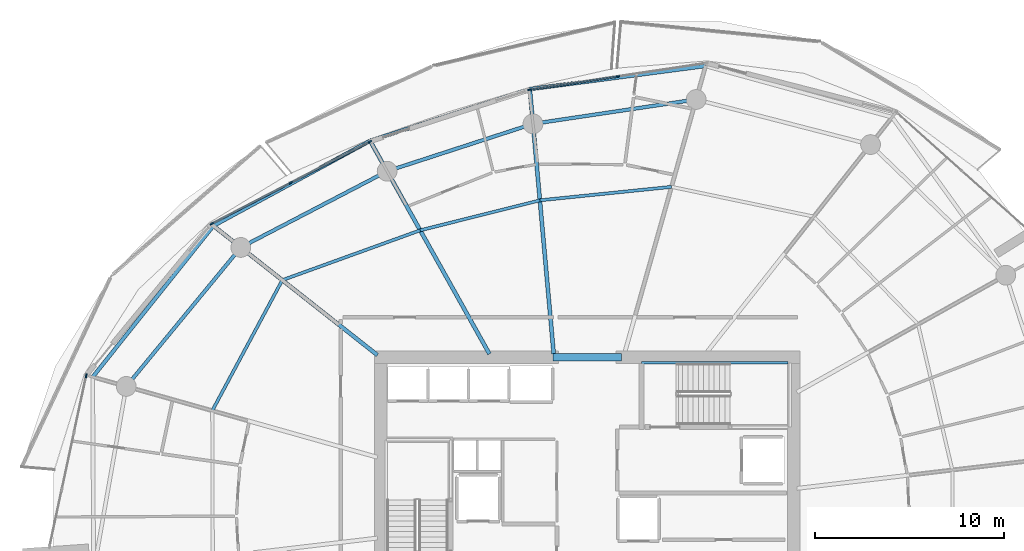
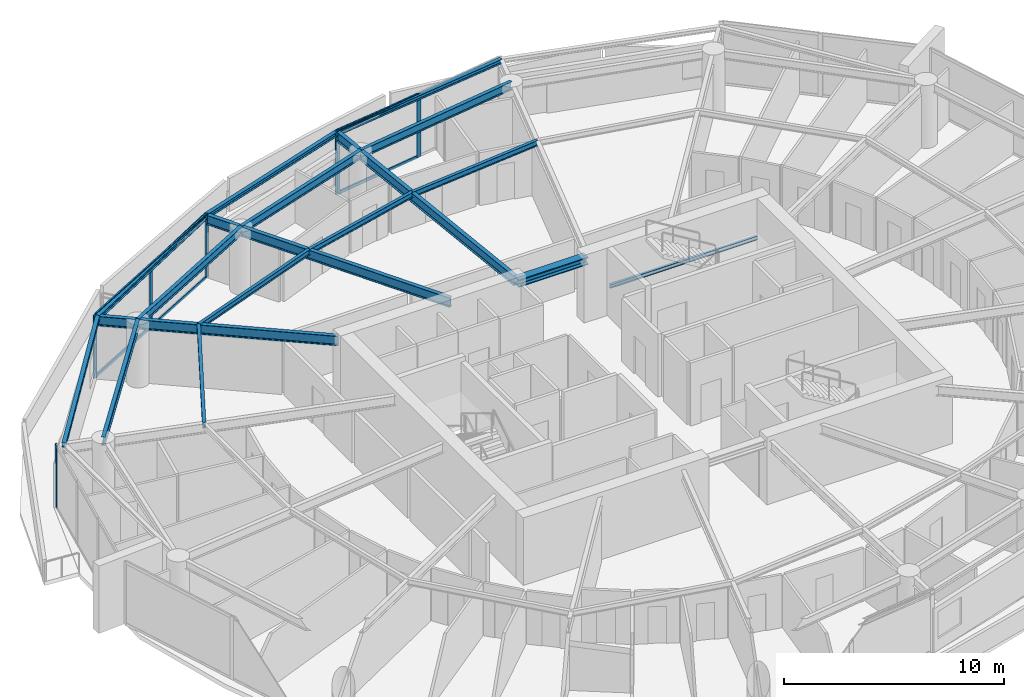
# One storey, part 8 of 21: 17 beams, 12 members, 3 elements without a shape of their own.
"""IFC4 building model written with IfcOpenShell, lengths in metres."""

from ifc_helpers import new_model, si_unit, direction, frame, origin, origin_2d, place, context, subcontext, project, spatial, rectangle, i_section, extrude, material, layer, layer_set, material_profile, profile_set, type_object, element, aggregate, save


model = new_model("IFC4")

# Units and contexts
model_context = context("Model", 3, precision=1e-05, world=origin(), true_north=direction((0.0, 1.0)))
body_context = subcontext(model_context, "Body", "Model", "MODEL_VIEW")
ifc_project = project(units=[si_unit("LENGTHUNIT", "METRE"), si_unit("AREAUNIT", "SQUARE_METRE"), si_unit("VOLUMEUNIT", "CUBIC_METRE"), si_unit("PLANEANGLEUNIT", "RADIAN"), si_unit("MASSUNIT", "GRAM", prefix="KILO")], contexts=[model_context])

# Site, building, storey
site_placement = place(None, origin())
site = spatial("IfcSite", under=ifc_project, at=site_placement, CompositionType="ELEMENT")
building_placement = place(site_placement, origin())
building = spatial("IfcBuilding", under=site, at=building_placement, Name="Kazma Halo Residences", CompositionType="ELEMENT")
storey_placement = place(building_placement, frame((0.0, 0.0, 184.050048828125)))
storey = spatial("IfcBuildingStorey", under=building, at=storey_placement, Name="L46", CompositionType="ELEMENT", Elevation=184.050048828125)

# Beams
ifc_material_1 = material(Name="Steel S355", Category="steel")
ifc_material_profile_1 = material_profile(ifc_material_1, i_section(OverallWidth=0.201904296875, OverallDepth=0.2470703125, WebThickness=0.00732421875, FlangeThickness=0.010986328125, FilletRadius=0.011962890625, at=origin_2d()), Name="W250x49.1")
ifc_profile_set_1 = profile_set([ifc_material_profile_1], Name="Steel S355")
beam_type_1 = type_object("IfcBeamType", Name="BM-BAL-CANT", PredefinedType="BEAM", material=ifc_profile_set_1)
beam_1_placement = place(storey_placement, frame((54.70458984375, 65.772216796875, 3.37646484375), z_axis=(-0.991401891123, -0.130852169558, 0.0), x_axis=(0.130852169558, -0.991401891123, 0.0)))
element("IfcBeam", 1, at=beam_1_placement, inside=storey, type_object=beam_type_1, Name="L46 wave-balcony tie beam 03", PredefinedType="BEAM", context=body_context, shape_type="SweptSolid", body=[
    extrude(i_section(OverallWidth=0.201904296875, OverallDepth=0.2470703125, WebThickness=0.00732421875, FlangeThickness=0.010986328125, FilletRadius=0.011962890625, at=origin_2d()), origin(), (0.0, 0.0, 1.0), 9.401611328125),
])
beam_2_placement = place(storey_placement, frame((45.3837890625, 64.5419921875, 3.37646484375), z_axis=(-0.951434599458, -0.307850942753, 0.0), x_axis=(0.307850942753, -0.951434599458, 0.0)))
element("IfcBeam", 2, at=beam_2_placement, inside=storey, type_object=beam_type_1, Name="L46 wave-balcony tie beam 04", PredefinedType="BEAM", context=body_context, shape_type="SweptSolid", body=[
    extrude(i_section(OverallWidth=0.201904296875, OverallDepth=0.2470703125, WebThickness=0.00732421875, FlangeThickness=0.010986328125, FilletRadius=0.011962890625, at=origin_2d()), origin(), (0.0, 0.0, 1.0), 8.905029296875),
])
beam_3_placement = place(storey_placement, frame((36.9111328125, 61.800537109375, 3.37646484375), z_axis=(-0.878890557257, -0.477023467309, 0.0), x_axis=(0.477023467309, -0.878890557257, 0.0)))
element("IfcBeam", 3, at=beam_3_placement, inside=storey, type_object=beam_type_1, Name="L46 wave-balcony tie beam 05", PredefinedType="BEAM", context=body_context, shape_type="SweptSolid", body=[
    extrude(i_section(OverallWidth=0.201904296875, OverallDepth=0.2470703125, WebThickness=0.00732421875, FlangeThickness=0.010986328125, FilletRadius=0.011962890625, at=origin_2d()), origin(), (0.0, 0.0, 1.0), 9.452880859375),
])
beam_4_placement = place(storey_placement, frame((28.60302734375, 57.291259765625, 3.37646484375), z_axis=(-0.624195724924, -0.781268005864, 0.0), x_axis=(0.781268005864, -0.624195724924, 0.0)))
element("IfcBeam", 4, at=beam_4_placement, inside=storey, type_object=beam_type_1, Name="L46 wave-balcony tie beam 06", PredefinedType="BEAM", context=body_context, shape_type="SweptSolid", body=[
    extrude(i_section(OverallWidth=0.201904296875, OverallDepth=0.2470703125, WebThickness=0.00732421875, FlangeThickness=0.010986328125, FilletRadius=0.011962890625, at=origin_2d()), origin(), (0.0, 0.0, 1.0), 10.258544921875),
])
ifc_material_profile_2 = material_profile(ifc_material_1, i_section(OverallWidth=0.408935546875, OverallDepth=0.425048828125, WebThickness=0.03271484375, FlangeThickness=0.052490234375, FilletRadius=0.02001953125, at=origin_2d()), Name="W360x421")
ifc_profile_set_2 = profile_set([ifc_material_profile_2], Name="Steel S355")
beam_type_2 = type_object("IfcBeamType", Name="BM-CORE-W360H", PredefinedType="BEAM", material=ifc_profile_set_2)
beam_5_placement = place(storey_placement, frame((46.60009765625, 50.324951171875, 3.287353515625), z_axis=(1.0, 0.0, 0.0), x_axis=(0.0, 1.0, 0.0)))
element("IfcBeam", 5, at=beam_5_placement, inside=storey, type_object=beam_type_2, Name="L46 core coupling beam N", PredefinedType="BEAM", context=body_context, shape_type="SweptSolid", body=[
    extrude(i_section(OverallWidth=0.408935546875, OverallDepth=0.425048828125, WebThickness=0.03271484375, FlangeThickness=0.052490234375, FilletRadius=0.02001953125, at=origin_2d()), origin(), (0.0, 0.0, 1.0), 3.64990234375),
])
ifc_material_profile_3 = material_profile(ifc_material_1, i_section(OverallWidth=0.208984375, OverallDepth=0.532958984375, WebThickness=0.01025390625, FlangeThickness=0.015625, FilletRadius=0.01611328125, at=origin_2d()), Name="W530x92")
ifc_profile_set_3 = profile_set([ifc_material_profile_3], Name="Steel S355")
beam_type_3 = type_object("IfcBeamType", Name="BM-RAD-W530", PredefinedType="BEAM", material=ifc_profile_set_3)
beam_6_placement = place(storey_placement, frame((46.64990234375, 50.5, 3.2333984375), z_axis=(-0.089801911205, 0.995959646142, 0.0), x_axis=(-0.995959646142, -0.089801911205, 0.0)))
element("IfcBeam", 6, at=beam_6_placement, inside=storey, type_object=beam_type_3, Name="L46 radial floor beam 04", PredefinedType="BEAM", context=body_context, shape_type="SweptSolid", body=[
    extrude(i_section(OverallWidth=0.208984375, OverallDepth=0.532958984375, WebThickness=0.01025390625, FlangeThickness=0.015625, FilletRadius=0.01611328125, at=origin_2d()), origin(), (0.0, 0.0, 1.0), 14.098876953125),
])
beam_7_placement = place(storey_placement, frame((43.23974609375, 50.5, 3.2333984375), z_axis=(-0.488621736368, 0.872495729931, 0.0), x_axis=(-0.872495729931, -0.488621736368, 0.0)))
element("IfcBeam", 7, at=beam_7_placement, inside=storey, type_object=beam_type_3, Name="L46 radial floor beam 05", PredefinedType="BEAM", context=body_context, shape_type="SweptSolid", body=[
    extrude(i_section(OverallWidth=0.208984375, OverallDepth=0.532958984375, WebThickness=0.01025390625, FlangeThickness=0.015625, FilletRadius=0.01611328125, at=origin_2d()), origin(), (0.0, 0.0, 1.0), 12.951904296875),
])
beam_8_placement = place(storey_placement, frame((37.300048828125, 50.435302734375, 3.2333984375), z_axis=(-0.785326671572, 0.619081593102, 0.0), x_axis=(-0.619081593102, -0.785326671572, 0.0)))
element("IfcBeam", 8, at=beam_8_placement, inside=storey, type_object=beam_type_3, Name="L46 radial floor beam 06", PredefinedType="BEAM", context=body_context, shape_type="SweptSolid", body=[
    extrude(i_section(OverallWidth=0.208984375, OverallDepth=0.532958984375, WebThickness=0.01025390625, FlangeThickness=0.015625, FilletRadius=0.01611328125, at=origin_2d()), origin(), (0.0, 0.0, 1.0), 11.074462890625),
])
ifc_material_profile_4 = material_profile(ifc_material_1, i_section(OverallWidth=0.1650390625, OverallDepth=0.31005859375, WebThickness=0.005859375, FlangeThickness=0.009765625, FilletRadius=0.011962890625, at=origin_2d()), Name="W310x38.7")
ifc_profile_set_4 = profile_set([ifc_material_profile_4], Name="Steel S355")
beam_type_4 = type_object("IfcBeamType", Name="BM-SEC-W310B", PredefinedType="JOIST", material=ifc_profile_set_4)
beam_9_placement = place(storey_placement, frame((52.8955078125, 59.35791015625, 3.344970703125), z_axis=(-0.994813898595, -0.101711883088, 0.0), x_axis=(0.101711883088, -0.994813898595, 0.0)))
element("IfcBeam", 9, at=beam_9_placement, inside=storey, type_object=beam_type_4, Name="L46 circumferential floor joist 03", PredefinedType="JOIST", context=body_context, shape_type="SweptSolid", body=[
    extrude(i_section(OverallWidth=0.1650390625, OverallDepth=0.31005859375, WebThickness=0.005859375, FlangeThickness=0.009765625, FilletRadius=0.011962890625, at=origin_2d()), origin(), (0.0, 0.0, 1.0), 7.01611328125),
])
beam_10_placement = place(storey_placement, frame((45.915771484375, 58.644287109375, 3.344970703125), z_axis=(-0.970019458253, -0.243027263102, 0.0), x_axis=(0.243027263102, -0.970019458253, 0.0)))
element("IfcBeam", 10, at=beam_10_placement, inside=storey, type_object=beam_type_4, Name="L46 circumferential floor joist 04", PredefinedType="JOIST", context=body_context, shape_type="SweptSolid", body=[
    extrude(i_section(OverallWidth=0.1650390625, OverallDepth=0.31005859375, WebThickness=0.005859375, FlangeThickness=0.009765625, FilletRadius=0.011962890625, at=origin_2d()), origin(), (0.0, 0.0, 1.0), 6.542724609375),
])
beam_11_placement = place(storey_placement, frame((39.569091796875, 57.05419921875, 3.344970703125), z_axis=(-0.940484507564, -0.339836565177, 0.0), x_axis=(0.339836565177, -0.940484507564, 0.0)))
element("IfcBeam", 11, at=beam_11_placement, inside=storey, type_object=beam_type_4, Name="L46 circumferential floor joist 05", PredefinedType="JOIST", context=body_context, shape_type="SweptSolid", body=[
    extrude(i_section(OverallWidth=0.1650390625, OverallDepth=0.31005859375, WebThickness=0.005859375, FlangeThickness=0.009765625, FilletRadius=0.011962890625, at=origin_2d()), origin(), (0.0, 0.0, 1.0), 7.776123046875),
])
beam_12_placement = place(storey_placement, frame((32.255859375, 54.41162109375, 3.344970703125), z_axis=(-0.472683532566, -0.881232249774, 0.0), x_axis=(0.881232249774, -0.472683532566, 0.0)))
element("IfcBeam", 12, at=beam_12_placement, inside=storey, type_object=beam_type_4, Name="L46 circumferential floor joist 06", PredefinedType="JOIST", context=body_context, shape_type="SweptSolid", body=[
    extrude(i_section(OverallWidth=0.1650390625, OverallDepth=0.31005859375, WebThickness=0.005859375, FlangeThickness=0.009765625, FilletRadius=0.011962890625, at=origin_2d()), origin(), (0.0, 0.0, 1.0), 7.85693359375),
])
ifc_material_profile_5 = material_profile(ifc_material_1, i_section(OverallWidth=0.18994140625, OverallDepth=0.45703125, WebThickness=0.009033203125, FlangeThickness=0.014404296875, FilletRadius=0.01611328125, at=origin_2d()), Name="W460x74")
ifc_profile_set_5 = profile_set([ifc_material_profile_5], Name="Steel S355")
beam_type_5 = type_object("IfcBeamType", Name="BM-SPN-W460", PredefinedType="BEAM", material=ifc_profile_set_5)
beam_13_placement = place(storey_placement, frame((54.202392578125, 63.99169921875, 3.271484375), z_axis=(-0.98903439143, -0.147685383732, 0.0), x_axis=(0.147685383732, -0.98903439143, 0.0)))
element("IfcBeam", 13, at=beam_13_placement, inside=storey, type_object=beam_type_5, Name="L46 perimeter ring beam 03", PredefinedType="BEAM", context=body_context, shape_type="SweptSolid", body=[
    extrude(i_section(OverallWidth=0.18994140625, OverallDepth=0.45703125, WebThickness=0.009033203125, FlangeThickness=0.014404296875, FilletRadius=0.01611328125, at=origin_2d()), origin(), (0.0, 0.0, 1.0), 8.748291015625),
])
beam_14_placement = place(storey_placement, frame((45.550048828125, 62.69970703125, 3.271484375), z_axis=(-0.951048627281, -0.30904127321, 0.0), x_axis=(0.30904127321, -0.951048627281, 0.0)))
element("IfcBeam", 14, at=beam_14_placement, inside=storey, type_object=beam_type_5, Name="L46 perimeter ring beam 04", PredefinedType="BEAM", context=body_context, shape_type="SweptSolid", body=[
    extrude(i_section(OverallWidth=0.18994140625, OverallDepth=0.45703125, WebThickness=0.009033203125, FlangeThickness=0.014404296875, FilletRadius=0.01611328125, at=origin_2d()), origin(), (0.0, 0.0, 1.0), 8.133056640625),
])
beam_15_placement = place(storey_placement, frame((37.815185546875, 60.186279296875, 3.271484375), z_axis=(-0.886961243394, -0.461843861838, 0.0), x_axis=(0.461843861838, -0.886961243394, 0.0)))
element("IfcBeam", 15, at=beam_15_placement, inside=storey, type_object=beam_type_5, Name="L46 perimeter ring beam 05", PredefinedType="BEAM", context=body_context, shape_type="SweptSolid", body=[
    extrude(i_section(OverallWidth=0.18994140625, OverallDepth=0.45703125, WebThickness=0.009033203125, FlangeThickness=0.014404296875, FilletRadius=0.01611328125, at=origin_2d()), origin(), (0.0, 0.0, 1.0), 8.748046875),
])
beam_16_placement = place(storey_placement, frame((30.055908203125, 56.14599609375, 3.271484375), z_axis=(-0.63601715545, -0.771674917289, 0.0), x_axis=(0.771674917289, -0.63601715545, 0.0)))
element("IfcBeam", 16, at=beam_16_placement, inside=storey, type_object=beam_type_5, Name="L46 perimeter ring beam 06", PredefinedType="BEAM", context=body_context, shape_type="SweptSolid", body=[
    extrude(i_section(OverallWidth=0.18994140625, OverallDepth=0.45703125, WebThickness=0.009033203125, FlangeThickness=0.014404296875, FilletRadius=0.01611328125, at=origin_2d()), origin(), (0.0, 0.0, 1.0), 9.552734375),
])
ifc_material_profile_6 = material_profile(ifc_material_1, i_section(OverallWidth=0.133056640625, OverallDepth=0.20703125, WebThickness=0.005859375, FlangeThickness=0.00830078125, FilletRadius=0.010009765625, at=origin_2d()), Name="W200x26.6")
ifc_profile_set_6 = profile_set([ifc_material_profile_6], Name="Steel S355")
beam_type_6 = type_object("IfcBeamType", Name="BM-TRIM-W200", PredefinedType="BEAM", material=ifc_profile_set_6)
beam_17_placement = place(storey_placement, frame((51.31005859375, 50.02001953125, 1.570068359375), z_axis=(1.0, 0.0, 0.0), x_axis=(0.0, 1.0, 0.0)))
element("IfcBeam", 17, at=beam_17_placement, inside=storey, type_object=beam_type_6, Name="L46 ST-02 landing north wall ledger", PredefinedType="BEAM", context=body_context, shape_type="SweptSolid", body=[
    extrude(i_section(OverallWidth=0.133056640625, OverallDepth=0.20703125, WebThickness=0.005859375, FlangeThickness=0.00830078125, FilletRadius=0.010009765625, at=origin_2d()), origin(), (0.0, 0.0, 1.0), 7.760009765625),
])

# Curtain wall, members
ifc_material_2 = material(Name="Aluminium AW-6063 T6 and Triple-Silver Low-E Glass", Category="aluminium")
ifc_layer = layer(ifc_material_2, 0.219970703125)
ifc_layer_set = layer_set([ifc_layer], Name="Aluminium AW-6063 T6 and Triple-Silver Low-E Glass")
curtain_wall_type = type_object("IfcCurtainWallType", Name="CW-SYS-4", PredefinedType="NOTDEFINED", material=ifc_layer_set)
curtain_wall_1_placement = place(storey_placement, origin())
curtain_wall_1 = element("IfcCurtainWall", 18, at=curtain_wall_1_placement, inside=storey, type_object=curtain_wall_type, Name="L46 unitised curtain wall B03", PredefinedType="NOTDEFINED")
ifc_material_3 = material(Name="Aluminium AW-6063 T6", Category="aluminium")
ifc_material_profile_7 = material_profile(ifc_material_3, rectangle(XDim=0.074951171875, YDim=0.219970703125, at=origin_2d()), Name="CWM-75x220")
ifc_profile_set_7 = profile_set([ifc_material_profile_7], Name="Aluminium AW-6063 T6")
member_type_1 = type_object("IfcMemberType", Name="CW-SYS-4-MUL", PredefinedType="MULLION", material=ifc_profile_set_7)
member_1_placement = place(storey_placement, frame((50.041259765625, 65.211181640625, 0.0), z_axis=(0.0, 0.0, 1.0), x_axis=(0.148772639188, -0.988871428361, 0.0)))
member_1 = element("IfcMember", 19, at=member_1_placement, type_object=member_type_1, Name="CWS-4 mullion 2", PredefinedType="MULLION", context=body_context, shape_type="SweptSolid", body=[
    extrude(rectangle(XDim=0.074951171875, YDim=0.219970703125, at=origin_2d()), origin(), (0.0, 0.0, 1.0), 3.5),
])
member_2_placement = place(storey_placement, frame((45.373779296875, 64.509033203125, 0.0), z_axis=(0.0, 0.0, 1.0), x_axis=(0.148772639188, -0.988871428361, 0.0)))
member_2 = element("IfcMember", 20, at=member_2_placement, type_object=member_type_1, Name="CWS-4 mullion 3", PredefinedType="MULLION", context=body_context, shape_type="SweptSolid", body=[
    extrude(rectangle(XDim=0.074951171875, YDim=0.219970703125, at=origin_2d()), origin(), (0.0, 0.0, 1.0), 3.5),
])

curtain_wall_2_placement = place(storey_placement, origin())
curtain_wall_2 = element("IfcCurtainWall", 21, at=curtain_wall_2_placement, inside=storey, type_object=curtain_wall_type, Name="L46 unitised curtain wall B05", PredefinedType="NOTDEFINED")
member_3_placement = place(storey_placement, frame((36.894287109375, 61.75390625, 0.0), z_axis=(0.0, 0.0, 1.0), x_axis=(0.460873851097, -0.887465657575, 0.0)))
member_3 = element("IfcMember", 22, at=member_3_placement, type_object=member_type_1, Name="CWS-4 mullion 1", PredefinedType="MULLION", context=body_context, shape_type="SweptSolid", body=[
    extrude(rectangle(XDim=0.074951171875, YDim=0.219970703125, at=origin_2d()), origin(), (0.0, 0.0, 1.0), 3.5),
])
member_4_placement = place(storey_placement, frame((32.705322265625, 59.578369140625, 0.0), z_axis=(0.0, 0.0, 1.0), x_axis=(0.460873851097, -0.887465657575, 0.0)))
member_4 = element("IfcMember", 23, at=member_4_placement, type_object=member_type_1, Name="CWS-4 mullion 2", PredefinedType="MULLION", context=body_context, shape_type="SweptSolid", body=[
    extrude(rectangle(XDim=0.074951171875, YDim=0.219970703125, at=origin_2d()), origin(), (0.0, 0.0, 1.0), 3.5),
])
member_5_placement = place(storey_placement, frame((28.5166015625, 57.403076171875, 0.0), z_axis=(0.0, 0.0, 1.0), x_axis=(0.460873851097, -0.887465657575, 0.0)))
member_5 = element("IfcMember", 24, at=member_5_placement, type_object=member_type_1, Name="CWS-4 mullion 3", PredefinedType="MULLION", context=body_context, shape_type="SweptSolid", body=[
    extrude(rectangle(XDim=0.074951171875, YDim=0.219970703125, at=origin_2d()), origin(), (0.0, 0.0, 1.0), 3.5),
])

# Curtain wall, member
curtain_wall_3_placement = place(storey_placement, origin())
curtain_wall_3 = element("IfcCurtainWall", 25, at=curtain_wall_3_placement, inside=storey, type_object=curtain_wall_type, Name="L46 unitised curtain wall B07", PredefinedType="NOTDEFINED")
member_6_placement = place(storey_placement, frame((21.8564453125, 49.334228515625, 0.0), z_axis=(0.0, 0.0, 1.0), x_axis=(0.977768017212, -0.209689543175, 0.0)))
member_6 = element("IfcMember", 26, at=member_6_placement, type_object=member_type_1, Name="CWS-4 mullion 1", PredefinedType="MULLION", context=body_context, shape_type="SweptSolid", body=[
    extrude(rectangle(XDim=0.074951171875, YDim=0.219970703125, at=origin_2d()), origin(), (0.0, 0.0, 1.0), 3.5),
])
aggregate(curtain_wall_3, [member_6])

# Member
ifc_material_profile_8 = material_profile(ifc_material_3, rectangle(XDim=0.074951171875, YDim=0.1650390625, at=origin_2d()), Name="CWT-75x165")
ifc_profile_set_8 = profile_set([ifc_material_profile_8], Name="Aluminium AW-6063 T6")
member_type_2 = type_object("IfcMemberType", Name="CW-SYS-4-TRN", PredefinedType="USERDEFINED", material=ifc_profile_set_8)
member_7_placement = place(storey_placement, frame((50.004150390625, 65.20556640625, 0.037353515625), z_axis=(-0.988876518566, -0.148738801357, 0.0), x_axis=(0.148738801357, -0.988876518566, 0.0)))
member_7 = element("IfcMember", 27, at=member_7_placement, type_object=member_type_2, Name="CWS-4 transom 2.1", ObjectType="TRANSOM", PredefinedType="USERDEFINED", context=body_context, shape_type="SweptSolid", body=[
    extrude(rectangle(XDim=0.074951171875, YDim=0.1650390625, at=origin_2d()), origin(), (0.0, 0.0, 1.0), 4.645263671875),
])

member_8_placement = place(storey_placement, frame((50.004150390625, 65.20556640625, 3.46240234375), z_axis=(-0.988876518566, -0.148738801357, 0.0), x_axis=(0.148738801357, -0.988876518566, 0.0)))
member_8 = element("IfcMember", 28, at=member_8_placement, type_object=member_type_2, Name="CWS-4 transom 2.2", ObjectType="TRANSOM", PredefinedType="USERDEFINED", context=body_context, shape_type="SweptSolid", body=[
    extrude(rectangle(XDim=0.074951171875, YDim=0.1650390625, at=origin_2d()), origin(), (0.0, 0.0, 1.0), 4.645263671875),
])

aggregate(curtain_wall_1, [member_1, member_2, member_7, member_8])

member_9_placement = place(storey_placement, frame((36.861083984375, 61.736572265625, 0.037353515625), z_axis=(-0.887457630519, -0.460889307789, 0.0), x_axis=(0.460889307789, -0.887457630519, 0.0)))
member_9 = element("IfcMember", 29, at=member_9_placement, type_object=member_type_2, Name="CWS-4 transom 1.1", ObjectType="TRANSOM", PredefinedType="USERDEFINED", context=body_context, shape_type="SweptSolid", body=[
    extrude(rectangle(XDim=0.074951171875, YDim=0.1650390625, at=origin_2d()), origin(), (0.0, 0.0, 1.0), 4.64501953125),
])

member_10_placement = place(storey_placement, frame((36.861083984375, 61.736572265625, 3.46240234375), z_axis=(-0.887457630519, -0.460889307789, 0.0), x_axis=(0.460889307789, -0.887457630519, 0.0)))
member_10 = element("IfcMember", 30, at=member_10_placement, type_object=member_type_2, Name="CWS-4 transom 1.2", ObjectType="TRANSOM", PredefinedType="USERDEFINED", context=body_context, shape_type="SweptSolid", body=[
    extrude(rectangle(XDim=0.074951171875, YDim=0.1650390625, at=origin_2d()), origin(), (0.0, 0.0, 1.0), 4.64501953125),
])

member_11_placement = place(storey_placement, frame((32.672119140625, 59.561279296875, 0.037353515625), z_axis=(-0.887457630519, -0.460889307789, 0.0), x_axis=(0.460889307789, -0.887457630519, 0.0)))
member_11 = element("IfcMember", 31, at=member_11_placement, type_object=member_type_2, Name="CWS-4 transom 2.1", ObjectType="TRANSOM", PredefinedType="USERDEFINED", context=body_context, shape_type="SweptSolid", body=[
    extrude(rectangle(XDim=0.074951171875, YDim=0.1650390625, at=origin_2d()), origin(), (0.0, 0.0, 1.0), 4.64501953125),
])

member_12_placement = place(storey_placement, frame((32.672119140625, 59.561279296875, 3.46240234375), z_axis=(-0.887457630519, -0.460889307789, 0.0), x_axis=(0.460889307789, -0.887457630519, 0.0)))
member_12 = element("IfcMember", 32, at=member_12_placement, type_object=member_type_2, Name="CWS-4 transom 2.2", ObjectType="TRANSOM", PredefinedType="USERDEFINED", context=body_context, shape_type="SweptSolid", body=[
    extrude(rectangle(XDim=0.074951171875, YDim=0.1650390625, at=origin_2d()), origin(), (0.0, 0.0, 1.0), 4.64501953125),
])

aggregate(curtain_wall_2, [member_3, member_4, member_5, member_9, member_10, member_11, member_12])

save(model, "model.ifc")
